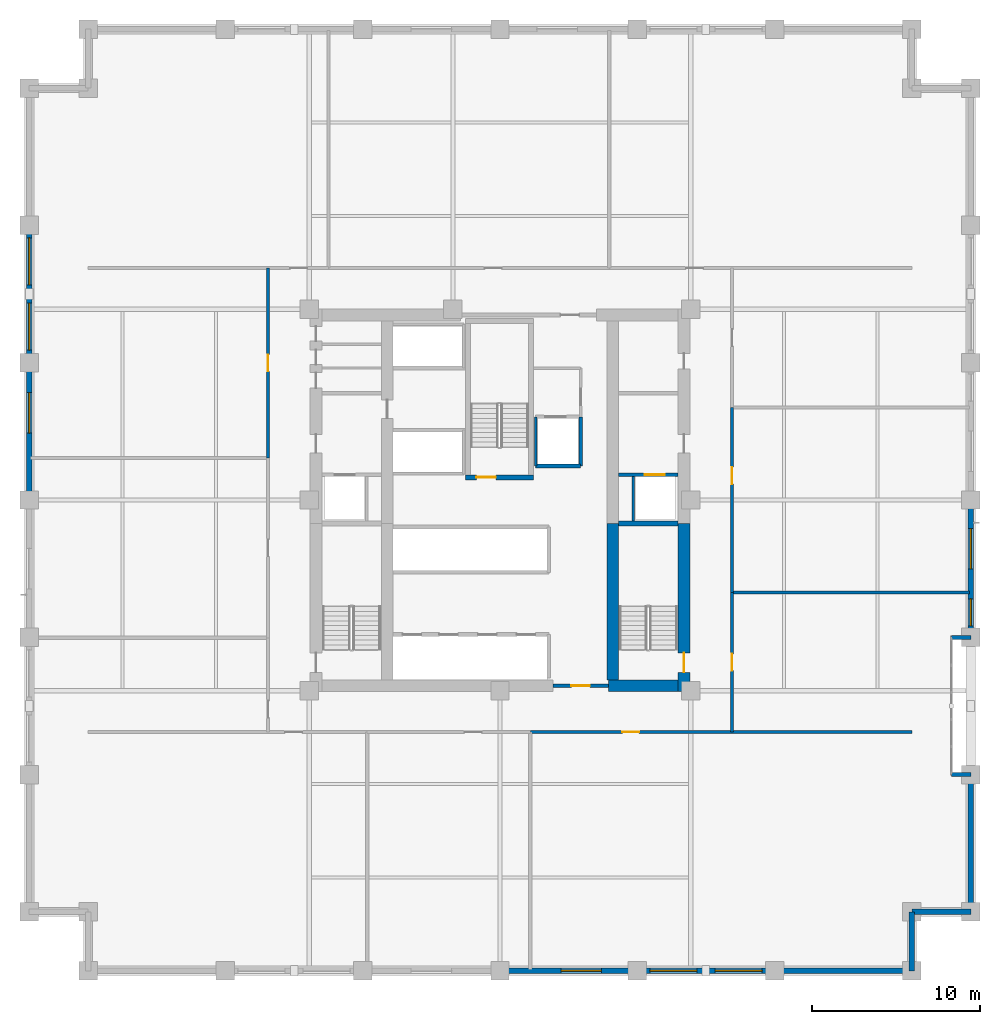
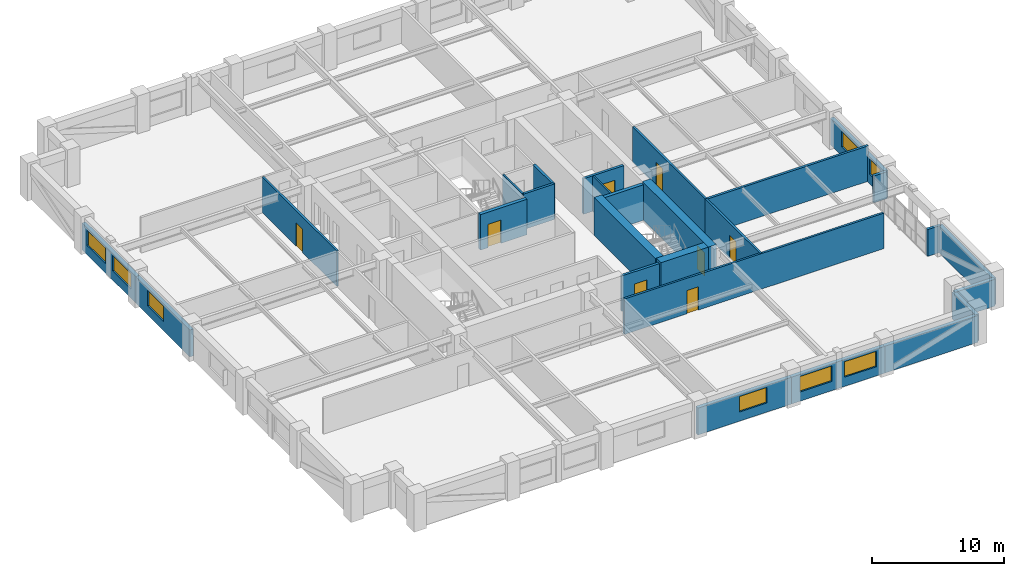
# One storey, part 8 of 13: 27 walls, 8 doors, 8 windows, 16 openings.
"""IFC4 building model written with IfcOpenShell, lengths in metres."""

from ifc_helpers import new_model, si_unit, direction, frame, frame_2d, origin, place, context, subcontext, project, spatial, rectangle, extrude, material, layer, layer_set, type_object, element, fill, save


model = new_model("IFC4")

# Units and contexts
model_context = context("Model", 3, precision=1e-05, world=origin(), true_north=direction((0.0, 1.0)))
body_context = subcontext(model_context, "Body", "Model", "MODEL_VIEW")
ifc_project = project(units=[si_unit("LENGTHUNIT", "METRE"), si_unit("AREAUNIT", "SQUARE_METRE"), si_unit("VOLUMEUNIT", "CUBIC_METRE"), si_unit("PLANEANGLEUNIT", "RADIAN"), si_unit("MASSUNIT", "GRAM", prefix="KILO")], contexts=[model_context])

# Site, building, storey
site_placement = place(None, origin())
site = spatial("IfcSite", under=ifc_project, at=site_placement, CompositionType="ELEMENT")
building_placement = place(site_placement, origin())
building = spatial("IfcBuilding", under=site, at=building_placement, Name="Nhamokura Convention Tower", CompositionType="ELEMENT")
storey_placement = place(building_placement, frame((0.0, 0.0, 92.75)))
storey = spatial("IfcBuildingStorey", under=building, at=storey_placement, Name="L22", CompositionType="ELEMENT", Elevation=92.75)

# Wall, opening, window
ifc_material_1 = material(Name="Bronze-pigmented precast concrete C45/55", Category="concrete")
ifc_layer_1 = layer(ifc_material_1, 0.320068359375)
ifc_layer_set_1 = layer_set([ifc_layer_1], Name="BronzePrecastSpandrel_320")
wall_type_1 = type_object("IfcWallType", Name="BronzePrecastSpandrel_320", PredefinedType="USERDEFINED", material=ifc_layer_set_1)
wall_1_placement = place(storey_placement, frame((40.166748046875, 4.0, 0.0), z_axis=(0.0, 0.0, 1.0), x_axis=(-1.0, 0.0, 0.0)))
wall_1 = element("IfcWall", 1, at=wall_1_placement, inside=storey, type_object=wall_type_1, Name="L22 Masonry-Frame Wall SOUTH 3", ObjectType="SPANDREL_WALL", PredefinedType="USERDEFINED", context=body_context, shape_type="SweptSolid", body=[
    extrude(rectangle(XDim=8.166748046875, YDim=0.320068359375, at=frame_2d((4.08349609375, 0.0))), origin(), (0.0, 0.0, 1.0), 2.47998046875),
])
opening_1_placement = place(wall_1_placement, frame((2.13330078125, 0.0, 0.85009765625)))
opening_1 = element("IfcOpeningElement", 2, at=opening_1_placement, cuts=wall_1, Name="Opening W-03", PredefinedType="OPENING", context=body_context, shape_type="SweptSolid", body=[
    extrude(rectangle(XDim=2.39990234375, YDim=1.429931640625, at=frame_2d((1.199951171875, 0.71484375))), frame((0.0, 0.169921875, 0.0), z_axis=(0.0, -1.0, 0.0), x_axis=(1.0, 0.0, 0.0)), (0.0, 0.0, 1.0), 0.340087890625),
])
ifc_material_2 = material(Name="Solar-control bronze low-E double glass", Category="glass")
window_type_1 = type_object("IfcWindowType", Name="HotelBayWindow_2400", PartitioningType="DOUBLE_PANEL_VERTICAL", PredefinedType="WINDOW", material=ifc_material_2)
window_1_placement = place(opening_1_placement, origin())
window_1 = element("IfcWindow", 3, at=window_1_placement, inside=storey, type_object=window_type_1, Name="L22 Facade Window SOUTH 3-1", OverallHeight=1.429931640625, OverallWidth=2.39990234375, PartitioningType="SINGLE_PANEL", PredefinedType="WINDOW", context=body_context, shape_type="SweptSolid", body=[
    extrude(rectangle(XDim=2.39990234375, YDim=1.429931640625, at=frame_2d((1.199951171875, 0.71484375))), frame((0.0, 0.030029296875, 0.0), z_axis=(0.0, -1.0, 0.0), x_axis=(1.0, 0.0, 0.0)), (0.0, 0.0, 1.0), 0.06005859375),
])
fill(opening_1, window_1)

# Wall, openings, windows
wall_2_placement = place(storey_placement, frame((48.333251953125, 4.0, 0.0), z_axis=(0.0, 0.0, 1.0), x_axis=(-1.0, 0.0, 0.0)))
wall_2 = element("IfcWall", 4, at=wall_2_placement, inside=storey, type_object=wall_type_1, Name="L22 Masonry-Frame Wall SOUTH 4", ObjectType="SPANDREL_WALL", PredefinedType="USERDEFINED", context=body_context, shape_type="SweptSolid", body=[
    extrude(rectangle(XDim=8.16650390625, YDim=0.320068359375, at=frame_2d((4.083251953125, 0.0))), origin(), (0.0, 0.0, 1.0), 2.47998046875),
])
opening_2_placement = place(wall_2_placement, frame((0.74169921875, 0.0, 0.85009765625)))
opening_2 = element("IfcOpeningElement", 5, at=opening_2_placement, cuts=wall_2, Name="Opening W-04", PredefinedType="OPENING", context=body_context, shape_type="SweptSolid", body=[
    extrude(rectangle(XDim=2.800048828125, YDim=1.429931640625, at=frame_2d((1.39990234375, 0.71484375))), frame((0.0, 0.169921875, 0.0), z_axis=(0.0, -1.0, 0.0), x_axis=(1.0, 0.0, 0.0)), (0.0, 0.0, 1.0), 0.340087890625),
])
opening_3_placement = place(wall_2_placement, frame((4.625, 0.0, 0.85009765625)))
opening_3 = element("IfcOpeningElement", 6, at=opening_3_placement, cuts=wall_2, Name="Opening W-04", PredefinedType="OPENING", context=body_context, shape_type="SweptSolid", body=[
    extrude(rectangle(XDim=2.800048828125, YDim=1.429931640625, at=frame_2d((1.39990234375, 0.71484375))), frame((0.0, 0.169921875, 0.0), z_axis=(0.0, -1.0, 0.0), x_axis=(1.0, 0.0, 0.0)), (0.0, 0.0, 1.0), 0.340087890625),
])
ifc_material_3 = material(Name="Solar-control bronze low-E double glass", Category="glass")
window_type_2 = type_object("IfcWindowType", Name="HotelSuiteWindow_2800", PartitioningType="DOUBLE_PANEL_VERTICAL", PredefinedType="WINDOW", material=ifc_material_3)
window_2_placement = place(opening_2_placement, origin())
window_2 = element("IfcWindow", 7, at=window_2_placement, inside=storey, type_object=window_type_2, Name="L22 Facade Window SOUTH 4-1", OverallHeight=1.429931640625, OverallWidth=2.800048828125, PartitioningType="SINGLE_PANEL", PredefinedType="WINDOW", context=body_context, shape_type="SweptSolid", body=[
    extrude(rectangle(XDim=2.800048828125, YDim=1.429931640625, at=frame_2d((1.39990234375, 0.71484375))), frame((0.0, 0.030029296875, 0.0), z_axis=(0.0, -1.0, 0.0), x_axis=(1.0, 0.0, 0.0)), (0.0, 0.0, 1.0), 0.06005859375),
])
fill(opening_2, window_2)
window_3_placement = place(opening_3_placement, origin())
window_3 = element("IfcWindow", 8, at=window_3_placement, inside=storey, type_object=window_type_2, Name="L22 Facade Window SOUTH 4-2", OverallHeight=1.429931640625, OverallWidth=2.800048828125, PartitioningType="SINGLE_PANEL", PredefinedType="WINDOW", context=body_context, shape_type="SweptSolid", body=[
    extrude(rectangle(XDim=2.800048828125, YDim=1.429931640625, at=frame_2d((1.39990234375, 0.71484375))), frame((0.0, 0.030029296875, 0.0), z_axis=(0.0, -1.0, 0.0), x_axis=(1.0, 0.0, 0.0)), (0.0, 0.0, 1.0), 0.06005859375),
])
fill(opening_3, window_3)

# Wall
wall_3_placement = place(storey_placement, frame((56.5, 4.0, 0.0), z_axis=(0.0, 0.0, 1.0), x_axis=(-1.0, 0.0, 0.0)))
element("IfcWall", 9, at=wall_3_placement, inside=storey, type_object=wall_type_1, Name="L22 Braced-Bay Precast Wall SOUTH 5", ObjectType="SPANDREL_WALL", PredefinedType="USERDEFINED", context=body_context, shape_type="SweptSolid", body=[
    extrude(rectangle(XDim=8.166748046875, YDim=0.320068359375, at=frame_2d((4.08349609375, 0.0))), origin(), (0.0, 0.0, 1.0), 2.47998046875),
])

# Wall, opening, window
wall_4_placement = place(storey_placement, frame((4.0, 32.0, 0.0), z_axis=(0.0, 0.0, 1.0), x_axis=(0.0, 1.0, 0.0)))
wall_4 = element("IfcWall", 10, at=wall_4_placement, inside=storey, type_object=wall_type_1, Name="L22 Masonry-Frame Wall WEST 3", ObjectType="SPANDREL_WALL", PredefinedType="USERDEFINED", context=body_context, shape_type="SweptSolid", body=[
    extrude(rectangle(XDim=8.166748046875, YDim=0.320068359375, at=frame_2d((4.08349609375, 0.0))), origin(), (0.0, 0.0, 1.0), 2.47998046875),
])
opening_4_placement = place(wall_4_placement, frame((3.9833984375, 0.0, 0.85009765625)))
opening_4 = element("IfcOpeningElement", 11, at=opening_4_placement, cuts=wall_4, Name="Opening W-03", PredefinedType="OPENING", context=body_context, shape_type="SweptSolid", body=[
    extrude(rectangle(XDim=2.39990234375, YDim=1.429931640625, at=frame_2d((1.199951171875, 0.71484375))), frame((0.0, 0.169921875, 0.0), z_axis=(0.0, -1.0, 0.0), x_axis=(1.0, 0.0, 0.0)), (0.0, 0.0, 1.0), 0.340087890625),
])
window_4_placement = place(opening_4_placement, origin())
window_4 = element("IfcWindow", 12, at=window_4_placement, inside=storey, type_object=window_type_1, Name="L22 Facade Window WEST 3-2", OverallHeight=1.429931640625, OverallWidth=2.39990234375, PartitioningType="SINGLE_PANEL", PredefinedType="WINDOW", context=body_context, shape_type="SweptSolid", body=[
    extrude(rectangle(XDim=2.39990234375, YDim=1.429931640625, at=frame_2d((1.199951171875, 0.71484375))), frame((0.0, 0.030029296875, 0.0), z_axis=(0.0, -1.0, 0.0), x_axis=(1.0, 0.0, 0.0)), (0.0, 0.0, 1.0), 0.06005859375),
])
fill(opening_4, window_4)

# Wall, openings, windows
wall_5_placement = place(storey_placement, frame((4.0, 40.166748046875, 0.0), z_axis=(0.0, 0.0, 1.0), x_axis=(0.0, 1.0, 0.0)))
wall_5 = element("IfcWall", 13, at=wall_5_placement, inside=storey, type_object=wall_type_1, Name="L22 Masonry-Frame Wall WEST 4", ObjectType="SPANDREL_WALL", PredefinedType="USERDEFINED", context=body_context, shape_type="SweptSolid", body=[
    extrude(rectangle(XDim=8.16650390625, YDim=0.320068359375, at=frame_2d((4.083251953125, 0.0))), origin(), (0.0, 0.0, 1.0), 2.47998046875),
])
opening_5_placement = place(wall_5_placement, frame((0.74169921875, 0.0, 0.85009765625)))
opening_5 = element("IfcOpeningElement", 14, at=opening_5_placement, cuts=wall_5, Name="Opening W-04", PredefinedType="OPENING", context=body_context, shape_type="SweptSolid", body=[
    extrude(rectangle(XDim=2.800048828125, YDim=1.429931640625, at=frame_2d((1.39990234375, 0.71484375))), frame((0.0, 0.169921875, 0.0), z_axis=(0.0, -1.0, 0.0), x_axis=(1.0, 0.0, 0.0)), (0.0, 0.0, 1.0), 0.340087890625),
])
opening_6_placement = place(wall_5_placement, frame((4.625, 0.0, 0.85009765625)))
opening_6 = element("IfcOpeningElement", 15, at=opening_6_placement, cuts=wall_5, Name="Opening W-04", PredefinedType="OPENING", context=body_context, shape_type="SweptSolid", body=[
    extrude(rectangle(XDim=2.800048828125, YDim=1.429931640625, at=frame_2d((1.39990234375, 0.71484375))), frame((0.0, 0.169921875, 0.0), z_axis=(0.0, -1.0, 0.0), x_axis=(1.0, 0.0, 0.0)), (0.0, 0.0, 1.0), 0.340087890625),
])
window_5_placement = place(opening_5_placement, origin())
window_5 = element("IfcWindow", 16, at=window_5_placement, inside=storey, type_object=window_type_2, Name="L22 Facade Window WEST 4-1", OverallHeight=1.429931640625, OverallWidth=2.800048828125, PartitioningType="SINGLE_PANEL", PredefinedType="WINDOW", context=body_context, shape_type="SweptSolid", body=[
    extrude(rectangle(XDim=2.800048828125, YDim=1.429931640625, at=frame_2d((1.39990234375, 0.71484375))), frame((0.0, 0.030029296875, 0.0), z_axis=(0.0, -1.0, 0.0), x_axis=(1.0, 0.0, 0.0)), (0.0, 0.0, 1.0), 0.06005859375),
])
fill(opening_5, window_5)
window_6_placement = place(opening_6_placement, origin())
window_6 = element("IfcWindow", 17, at=window_6_placement, inside=storey, type_object=window_type_2, Name="L22 Facade Window WEST 4-2", OverallHeight=1.429931640625, OverallWidth=2.800048828125, PartitioningType="SINGLE_PANEL", PredefinedType="WINDOW", context=body_context, shape_type="SweptSolid", body=[
    extrude(rectangle(XDim=2.800048828125, YDim=1.429931640625, at=frame_2d((1.39990234375, 0.71484375))), frame((0.0, 0.030029296875, 0.0), z_axis=(0.0, -1.0, 0.0), x_axis=(1.0, 0.0, 0.0)), (0.0, 0.0, 1.0), 0.06005859375),
])
fill(opening_6, window_6)

# Walls
for number, where, z_axis, x_axis, name in (
    (18, (60.0, 15.666748046875, 0.0), (0.0, 0.0, 1.0), (-1.0, 0.0, 0.0), "L22 Scale Slot Cheek Wall EASTA"),
    (19, (60.0, 23.833251953125, 0.0), (0.0, 0.0, 1.0), (-1.0, 0.0, 0.0), "L22 Scale Slot Cheek Wall EASTB"),
):
    element("IfcWall", number, at=place(storey_placement, frame(where, z_axis=z_axis, x_axis=x_axis)), inside=storey, type_object=wall_type_1, Name=name, ObjectType="SPANDREL_WALL", PredefinedType="USERDEFINED", context=body_context, shape_type="SweptSolid", body=[
        extrude(rectangle(XDim=1.14990234375, YDim=0.239990234375, at=frame_2d((0.574951171875, 0.0))), origin(), (0.0, 0.0, 1.0), 2.47998046875),
    ])
wall_6_placement = place(storey_placement, frame((60.0, 15.666748046875, 0.0), z_axis=(0.0, 0.0, 1.0), x_axis=(0.0, -1.0, 0.0)))
element("IfcWall", 20, at=wall_6_placement, inside=storey, type_object=wall_type_1, Name="L22 Braced-Bay Precast Wall EAST 0", ObjectType="SPANDREL_WALL", PredefinedType="USERDEFINED", context=body_context, shape_type="SweptSolid", body=[
    extrude(rectangle(XDim=8.166748046875, YDim=0.320068359375, at=frame_2d((4.08349609375, 0.0))), origin(), (0.0, 0.0, 1.0), 2.47998046875),
])

# Wall, openings, windows
wall_7_placement = place(storey_placement, frame((60.0, 32.0, 0.0), z_axis=(0.0, 0.0, 1.0), x_axis=(0.0, -1.0, 0.0)))
wall_7 = element("IfcWall", 21, at=wall_7_placement, inside=storey, type_object=wall_type_1, Name="L22 Masonry-Frame Wall EAST 2", ObjectType="SPANDREL_WALL", PredefinedType="USERDEFINED", context=body_context, shape_type="SweptSolid", body=[
    extrude(rectangle(XDim=8.166748046875, YDim=0.320068359375, at=frame_2d((4.08349609375, 0.0))), origin(), (0.0, 0.0, 1.0), 2.47998046875),
])
opening_7_placement = place(wall_7_placement, frame((1.699951171875, 0.0, 0.85009765625)))
opening_7 = element("IfcOpeningElement", 22, at=opening_7_placement, cuts=wall_7, Name="Opening W-03", PredefinedType="OPENING", context=body_context, shape_type="SweptSolid", body=[
    extrude(rectangle(XDim=2.39990234375, YDim=1.429931640625, at=frame_2d((1.199951171875, 0.71484375))), frame((0.0, 0.169921875, 0.0), z_axis=(0.0, -1.0, 0.0), x_axis=(1.0, 0.0, 0.0)), (0.0, 0.0, 1.0), 0.340087890625),
])
opening_8_placement = place(wall_7_placement, frame((5.88330078125, 0.0, 0.85009765625)))
opening_8 = element("IfcOpeningElement", 23, at=opening_8_placement, cuts=wall_7, Name="Opening W-11", PredefinedType="OPENING", context=body_context, shape_type="SweptSolid", body=[
    extrude(rectangle(XDim=1.60009765625, YDim=1.429931640625, at=frame_2d((0.800048828125, 0.71484375))), frame((0.0, 0.169921875, 0.0), z_axis=(0.0, -1.0, 0.0), x_axis=(1.0, 0.0, 0.0)), (0.0, 0.0, 1.0), 0.340087890625),
])
window_7_placement = place(opening_7_placement, origin())
window_7 = element("IfcWindow", 24, at=window_7_placement, inside=storey, type_object=window_type_1, Name="L22 Facade Window EAST 2-1", OverallHeight=1.429931640625, OverallWidth=2.39990234375, PartitioningType="SINGLE_PANEL", PredefinedType="WINDOW", context=body_context, shape_type="SweptSolid", body=[
    extrude(rectangle(XDim=2.39990234375, YDim=1.429931640625, at=frame_2d((1.199951171875, 0.71484375))), frame((0.0, 0.030029296875, 0.0), z_axis=(0.0, -1.0, 0.0), x_axis=(1.0, 0.0, 0.0)), (0.0, 0.0, 1.0), 0.06005859375),
])
fill(opening_7, window_7)
ifc_material_4 = material(Name="Solar-control bronze low-E double glass", Category="glass")
window_type_3 = type_object("IfcWindowType", Name="NotchCornerWindow_1600", PartitioningType="SINGLE_PANEL", PredefinedType="WINDOW", material=ifc_material_4)
window_8_placement = place(opening_8_placement, origin())
window_8 = element("IfcWindow", 25, at=window_8_placement, inside=storey, type_object=window_type_3, Name="L22 Facade Window EAST 2-2", OverallHeight=1.429931640625, OverallWidth=1.60009765625, PartitioningType="SINGLE_PANEL", PredefinedType="WINDOW", context=body_context, shape_type="SweptSolid", body=[
    extrude(rectangle(XDim=1.60009765625, YDim=1.429931640625, at=frame_2d((0.800048828125, 0.71484375))), frame((0.0, 0.030029296875, 0.0), z_axis=(0.0, -1.0, 0.0), x_axis=(1.0, 0.0, 0.0)), (0.0, 0.0, 1.0), 0.06005859375),
])
fill(opening_8, window_8)

# Walls
for number, where, z_axis, x_axis, name in (
    (26, (56.5, 7.5, 0.0), (0.0, 0.0, 1.0), (0.0, -1.0, 0.0), "L22 Notched Corner Wall SE1"),
    (27, (60.0, 7.5, 0.0), (0.0, 0.0, 1.0), (-1.0, 0.0, 0.0), "L22 Notched Corner Wall SE2"),
):
    element("IfcWall", number, at=place(storey_placement, frame(where, z_axis=z_axis, x_axis=x_axis)), inside=storey, type_object=wall_type_1, Name=name, ObjectType="SPANDREL_WALL", PredefinedType="USERDEFINED", context=body_context, shape_type="SweptSolid", body=[
        extrude(rectangle(XDim=3.5, YDim=0.320068359375, at=frame_2d((1.75, 0.0))), origin(), (0.0, 0.0, 1.0), 2.47998046875),
    ])

# Wall, opening, door
ifc_material_5 = material(Name="Concrete C70/85", Category="concrete")
ifc_layer_2 = layer(ifc_material_5, 0.699951171875)
ifc_layer_set_2 = layer_set([ifc_layer_2], Name="CoreShearWall_700")
wall_type_2 = type_object("IfcWallType", Name="CoreShearWall_700", PredefinedType="SHEAR", material=ifc_layer_set_2)
wall_8_placement = place(storey_placement, frame((42.93994140625, 20.60009765625, 0.0), z_axis=(0.0, 0.0, 1.0), x_axis=(0.0, 1.0, 0.0)))
wall_8 = element("IfcWall", 28, at=wall_8_placement, inside=storey, type_object=wall_type_2, Name="L22 Core Shear Wall CW-ES", PredefinedType="SHEAR", context=body_context, shape_type="SweptSolid", body=[
    extrude(rectangle(XDim=10.0, YDim=0.699951171875, at=frame_2d((5.0, 0.0))), origin(), (0.0, 0.0, 1.0), 3.5),
])
opening_9_placement = place(wall_8_placement, frame((1.14990234375, 0.0, 0.0)))
opening_9 = element("IfcOpeningElement", 29, at=opening_9_placement, cuts=wall_8, Name="Opening D-04", PredefinedType="OPENING", context=body_context, shape_type="SweptSolid", body=[
    extrude(rectangle(XDim=1.14990234375, YDim=2.14990234375, at=frame_2d((0.574951171875, 1.074951171875))), frame((0.0, 0.35986328125, 0.0), z_axis=(0.0, -1.0, 0.0), x_axis=(1.0, 0.0, 0.0)), (0.0, 0.0, 1.0), 0.719970703125),
])
ifc_material_6 = material(Name="Fire-rated steel door", Category="steel")
door_type_1 = type_object("IfcDoorType", Name="StairSmokeDoor_1150", OperationType="NOTDEFINED", PredefinedType="DOOR", material=ifc_material_6)
door_1_placement = place(opening_9_placement, origin())
door_1 = element("IfcDoor", 30, at=door_1_placement, inside=storey, type_object=door_type_1, Name="L22 Core Door INT-L22-D-ST02", OperationType="SINGLE_SWING_RIGHT", OverallHeight=2.14990234375, OverallWidth=1.14990234375, PredefinedType="DOOR", context=body_context, shape_type="SweptSolid", body=[
    extrude(rectangle(XDim=1.14990234375, YDim=2.14990234375, at=frame_2d((0.574951171875, 1.074951171875))), frame((0.0, 0.02490234375, 0.0), z_axis=(0.0, -1.0, 0.0), x_axis=(1.0, 0.0, 0.0)), (0.0, 0.0, 1.0), 0.050048828125),
])
fill(opening_9, door_1)

# Walls
wall_9_placement = place(storey_placement, frame((38.449951171875, 20.949951171875, 0.0), z_axis=(0.0, 0.0, 1.0), x_axis=(1.0, 0.0, 0.0)))
element("IfcWall", 31, at=wall_9_placement, inside=storey, type_object=wall_type_2, Name="L22 Core Shear Wall CW-S2", PredefinedType="SHEAR", context=body_context, shape_type="SweptSolid", body=[
    extrude(rectangle(XDim=4.14013671875, YDim=0.699951171875, at=frame_2d((2.070068359375, 0.0))), origin(), (0.0, 0.0, 1.0), 3.5),
])
wall_10_placement = place(storey_placement, frame((38.7099609375, 21.300048828125, 0.0), z_axis=(0.0, 0.0, 1.0), x_axis=(0.0, 1.0, 0.0)))
element("IfcWall", 32, at=wall_10_placement, inside=storey, type_object=wall_type_2, Name="L22 Core Shear Wall CW-IES", PredefinedType="SHEAR", context=body_context, shape_type="SweptSolid", body=[
    extrude(rectangle(XDim=9.300048828125, YDim=0.699951171875, at=frame_2d((4.64990234375, 0.0))), origin(), (0.0, 0.0, 1.0), 3.5),
])

# Wall, opening, door
ifc_material_7 = material(Name="Fire-rated gypsum and masonry partition", Category="masonry")
ifc_layer_3 = layer(ifc_material_7, 0.179931640625)
ifc_layer_set_3 = layer_set([ifc_layer_3], Name="CorridorRatedWall_180")
wall_type_3 = type_object("IfcWallType", Name="CorridorRatedWall_180", PredefinedType="STANDARD", material=ifc_layer_set_3)
wall_11_placement = place(storey_placement, frame((33.800048828125, 18.199951171875, 0.0), z_axis=(0.0, 0.0, 1.0), x_axis=(1.0, 0.0, 0.0)))
wall_11 = element("IfcWall", 33, at=wall_11_placement, inside=storey, type_object=wall_type_3, Name="L22 Wall INT-L22-CW-S02", PredefinedType="STANDARD", context=body_context, shape_type="SweptSolid", body=[
    extrude(rectangle(XDim=22.699951171875, YDim=0.179931640625, at=frame_2d((11.35009765625, 0.0))), origin(), (0.0, 0.0, 1.0), 3.280029296875),
])
opening_10_placement = place(wall_11_placement, frame((5.47509765625, 0.0, 0.0)))
opening_10 = element("IfcOpeningElement", 34, at=opening_10_placement, cuts=wall_11, Name="Opening D-07", PredefinedType="OPENING", context=body_context, shape_type="SweptSolid", body=[
    extrude(rectangle(XDim=1.0, YDim=2.14990234375, at=frame_2d((0.5, 1.074951171875))), frame((0.0, 0.099853515625, 0.0), z_axis=(0.0, -1.0, 0.0), x_axis=(1.0, 0.0, 0.0)), (0.0, 0.0, 1.0), 0.199951171875),
])
ifc_material_8 = material(Name="Solid oak hardwood", Category="wood")
door_type_2 = type_object("IfcDoorType", Name="HotelSuiteEntryDoor_1000", OperationType="NOTDEFINED", PredefinedType="DOOR", material=ifc_material_8)
door_2_placement = place(opening_10_placement, origin())
door_2 = element("IfcDoor", 35, at=door_2_placement, inside=storey, type_object=door_type_2, Name="L22 Conference Salon S03 Door", OperationType="SINGLE_SWING_LEFT", OverallHeight=2.14990234375, OverallWidth=1.0, PredefinedType="DOOR", context=body_context, shape_type="SweptSolid", body=[
    extrude(rectangle(XDim=1.0, YDim=2.14990234375, at=frame_2d((0.5, 1.074951171875))), frame((0.0, 0.02490234375, 0.0), z_axis=(0.0, -1.0, 0.0), x_axis=(1.0, 0.0, 0.0)), (0.0, 0.0, 1.0), 0.050048828125),
])
fill(opening_10, door_2)

wall_12_placement = place(storey_placement, frame((18.199951171875, 34.5, 0.0), z_axis=(0.0, 0.0, 1.0), x_axis=(0.0, 1.0, 0.0)))
wall_12 = element("IfcWall", 36, at=wall_12_placement, inside=storey, type_object=wall_type_3, Name="L22 Wall INT-L22-CW-W02", PredefinedType="STANDARD", context=body_context, shape_type="SweptSolid", body=[
    extrude(rectangle(XDim=11.300048828125, YDim=0.179931640625, at=frame_2d((5.64990234375, 0.0))), origin(), (0.0, 0.0, 1.0), 3.280029296875),
])
opening_11_placement = place(wall_12_placement, frame((5.14990234375, 0.0, 0.0)))
opening_11 = element("IfcOpeningElement", 37, at=opening_11_placement, cuts=wall_12, Name="Opening D-07", PredefinedType="OPENING", context=body_context, shape_type="SweptSolid", body=[
    extrude(rectangle(XDim=1.0, YDim=2.14990234375, at=frame_2d((0.5, 1.074951171875))), frame((0.0, 0.099853515625, 0.0), z_axis=(0.0, -1.0, 0.0), x_axis=(1.0, 0.0, 0.0)), (0.0, 0.0, 1.0), 0.199951171875),
])
door_3_placement = place(opening_11_placement, origin())
door_3 = element("IfcDoor", 38, at=door_3_placement, inside=storey, type_object=door_type_2, Name="L22 Meeting Room W03 Door", OperationType="SINGLE_SWING_LEFT", OverallHeight=2.14990234375, OverallWidth=1.0, PredefinedType="DOOR", context=body_context, shape_type="SweptSolid", body=[
    extrude(rectangle(XDim=1.0, YDim=2.14990234375, at=frame_2d((0.5, 1.074951171875))), frame((0.0, 0.02490234375, 0.0), z_axis=(0.0, -1.0, 0.0), x_axis=(1.0, 0.0, 0.0)), (0.0, 0.0, 1.0), 0.050048828125),
])
fill(opening_11, door_3)

wall_13_placement = place(storey_placement, frame((45.800048828125, 18.199951171875, 0.0), z_axis=(0.0, 0.0, 1.0), x_axis=(0.0, 1.0, 0.0)))
wall_13 = element("IfcWall", 39, at=wall_13_placement, inside=storey, type_object=wall_type_3, Name="L22 Wall INT-L22-CW-E00", PredefinedType="STANDARD", context=body_context, shape_type="SweptSolid", body=[
    extrude(rectangle(XDim=8.300048828125, YDim=0.179931640625, at=frame_2d((4.14990234375, 0.0))), origin(), (0.0, 0.0, 1.0), 3.280029296875),
])
opening_12_placement = place(wall_13_placement, frame((3.64990234375, 0.0, 0.0)))
opening_12 = element("IfcOpeningElement", 40, at=opening_12_placement, cuts=wall_13, Name="Opening D-07", PredefinedType="OPENING", context=body_context, shape_type="SweptSolid", body=[
    extrude(rectangle(XDim=1.0, YDim=2.14990234375, at=frame_2d((0.5, 1.074951171875))), frame((0.0, 0.099853515625, 0.0), z_axis=(0.0, -1.0, 0.0), x_axis=(1.0, 0.0, 0.0)), (0.0, 0.0, 1.0), 0.199951171875),
])
door_4_placement = place(opening_12_placement, origin())
door_4 = element("IfcDoor", 41, at=door_4_placement, inside=storey, type_object=door_type_2, Name="L22 Pantry E01 Door", OperationType="SINGLE_SWING_LEFT", OverallHeight=2.14990234375, OverallWidth=1.0, PredefinedType="DOOR", context=body_context, shape_type="SweptSolid", body=[
    extrude(rectangle(XDim=1.0, YDim=2.14990234375, at=frame_2d((0.5, 1.074951171875))), frame((0.0, 0.02490234375, 0.0), z_axis=(0.0, -1.0, 0.0), x_axis=(1.0, 0.0, 0.0)), (0.0, 0.0, 1.0), 0.050048828125),
])
fill(opening_12, door_4)

wall_14_placement = place(storey_placement, frame((45.800048828125, 26.5, 0.0), z_axis=(0.0, 0.0, 1.0), x_axis=(0.0, 1.0, 0.0)))
wall_14 = element("IfcWall", 42, at=wall_14_placement, inside=storey, type_object=wall_type_3, Name="L22 Wall INT-L22-CW-E01", PredefinedType="STANDARD", context=body_context, shape_type="SweptSolid", body=[
    extrude(rectangle(XDim=11.0, YDim=0.179931640625, at=frame_2d((5.5, 0.0))), origin(), (0.0, 0.0, 1.0), 3.280029296875),
])
opening_13_placement = place(wall_14_placement, frame((6.449951171875, 0.0, 0.0)))
opening_13 = element("IfcOpeningElement", 43, at=opening_13_placement, cuts=wall_14, Name="Opening D-07", PredefinedType="OPENING", context=body_context, shape_type="SweptSolid", body=[
    extrude(rectangle(XDim=1.0, YDim=2.14990234375, at=frame_2d((0.5, 1.074951171875))), frame((0.0, 0.099853515625, 0.0), z_axis=(0.0, -1.0, 0.0), x_axis=(1.0, 0.0, 0.0)), (0.0, 0.0, 1.0), 0.199951171875),
])
door_5_placement = place(opening_13_placement, origin())
door_5 = element("IfcDoor", 44, at=door_5_placement, inside=storey, type_object=door_type_2, Name="L22 Housekeeping Store E02 Door", OperationType="SINGLE_SWING_RIGHT", OverallHeight=2.14990234375, OverallWidth=1.0, PredefinedType="DOOR", context=body_context, shape_type="SweptSolid", body=[
    extrude(rectangle(XDim=1.0, YDim=2.14990234375, at=frame_2d((0.5, 1.074951171875))), frame((0.0, 0.02490234375, 0.0), z_axis=(0.0, -1.0, 0.0), x_axis=(1.0, 0.0, 0.0)), (0.0, 0.0, 1.0), 0.050048828125),
])
fill(opening_13, door_5)

ifc_material_9 = material(Name="Autoclaved concrete blockwork", Category="masonry")
ifc_layer_4 = layer(ifc_material_9, 0.219970703125)
ifc_layer_set_4 = layer_set([ifc_layer_4], Name="FireLobbyWall_220")
wall_type_4 = type_object("IfcWallType", Name="FireLobbyWall_220", PredefinedType="STANDARD", material=ifc_layer_set_4)
wall_15_placement = place(storey_placement, frame((39.06005859375, 33.5, 0.0), z_axis=(0.0, 0.0, 1.0), x_axis=(1.0, 0.0, 0.0)))
wall_15 = element("IfcWall", 45, at=wall_15_placement, inside=storey, type_object=wall_type_4, Name="L22 Wall INT-L22-FFE-S", PredefinedType="STANDARD", context=body_context, shape_type="SweptSolid", body=[
    extrude(rectangle(XDim=3.530029296875, YDim=0.219970703125, at=frame_2d((1.76513671875, 0.0))), origin(), (0.0, 0.0, 1.0), 3.280029296875),
])
opening_14_placement = place(wall_15_placement, frame((1.550048828125, 0.0, 0.0)))
opening_14 = element("IfcOpeningElement", 46, at=opening_14_placement, cuts=wall_15, Name="Opening LD-02", PredefinedType="OPENING", context=body_context, shape_type="SweptSolid", body=[
    extrude(rectangle(XDim=1.199951171875, YDim=2.199951171875, at=frame_2d((0.60009765625, 1.10009765625))), frame((0.0, 0.119873046875, 0.0), z_axis=(0.0, -1.0, 0.0), x_axis=(1.0, 0.0, 0.0)), (0.0, 0.0, 1.0), 0.239990234375),
])
ifc_material_10 = material(Name="Anodised bronze stainless steel", Category="steel")
door_type_3 = type_object("IfcDoorType", Name="LiftLandingDoor_FireService", OperationType="DOUBLE_DOOR_SLIDING", PredefinedType="DOOR", material=ifc_material_10)
door_6_placement = place(opening_14_placement, origin())
door_6 = element("IfcDoor", 47, at=door_6_placement, inside=storey, type_object=door_type_3, Name="L22 Firefighting Lift LF-02 Door", OperationType="DOUBLE_DOOR_SLIDING", OverallHeight=2.199951171875, OverallWidth=1.199951171875, PredefinedType="DOOR", context=body_context, shape_type="SweptSolid", body=[
    extrude(rectangle(XDim=1.199951171875, YDim=2.199951171875, at=frame_2d((0.60009765625, 1.10009765625))), frame((0.0, 0.02490234375, 0.0), z_axis=(0.0, -1.0, 0.0), x_axis=(1.0, 0.0, 0.0)), (0.0, 0.0, 1.0), 0.050048828125),
])
fill(opening_14, door_6)

wall_16_placement = place(storey_placement, frame((35.14990234375, 20.949951171875, 0.0), z_axis=(0.0, 0.0, 1.0), x_axis=(1.0, 0.0, 0.0)))
wall_16 = element("IfcWall", 48, at=wall_16_placement, inside=storey, type_object=wall_type_4, Name="L22 Wall INT-L22-SPORT-S", PredefinedType="STANDARD", context=body_context, shape_type="SweptSolid", body=[
    extrude(rectangle(XDim=3.300048828125, YDim=0.219970703125, at=frame_2d((1.64990234375, 0.0))), origin(), (0.0, 0.0, 1.0), 3.280029296875),
])
opening_15_placement = place(wall_16_placement, frame((1.10009765625, 0.0, 0.0)))
opening_15 = element("IfcOpeningElement", 49, at=opening_15_placement, cuts=wall_16, Name="Opening D-05", PredefinedType="OPENING", context=body_context, shape_type="SweptSolid", body=[
    extrude(rectangle(XDim=1.10009765625, YDim=2.14990234375, at=frame_2d((0.550048828125, 1.074951171875))), frame((0.0, 0.119873046875, 0.0), z_axis=(0.0, -1.0, 0.0), x_axis=(1.0, 0.0, 0.0)), (0.0, 0.0, 1.0), 0.239990234375),
])
ifc_material_11 = material(Name="Fire-rated steel door", Category="steel")
door_type_4 = type_object("IfcDoorType", Name="FireLobbyDoor_1100", OperationType="NOTDEFINED", PredefinedType="DOOR", material=ifc_material_11)
door_7_placement = place(opening_15_placement, origin())
door_7 = element("IfcDoor", 50, at=door_7_placement, inside=storey, type_object=door_type_4, Name="L22 South Core Lobby Portal Door", OperationType="SINGLE_SWING_LEFT", OverallHeight=2.14990234375, OverallWidth=1.10009765625, PredefinedType="DOOR", context=body_context, shape_type="SweptSolid", body=[
    extrude(rectangle(XDim=1.10009765625, YDim=2.14990234375, at=frame_2d((0.550048828125, 1.074951171875))), frame((0.0, 0.02490234375, 0.0), z_axis=(0.0, -1.0, 0.0), x_axis=(1.0, 0.0, 0.0)), (0.0, 0.0, 1.0), 0.050048828125),
])
fill(opening_15, door_7)

# Walls
wall_17_placement = place(storey_placement, frame((36.800048828125, 34.02001953125, 0.0), z_axis=(0.0, 0.0, 1.0), x_axis=(0.0, 1.0, 0.0)))
element("IfcWall", 51, at=wall_17_placement, inside=storey, type_object=wall_type_4, Name="L22 Wall INT-L22-LSE", PredefinedType="STANDARD", context=body_context, shape_type="SweptSolid", body=[
    extrude(rectangle(XDim=2.929931640625, YDim=0.219970703125, at=frame_2d((1.46484375, 0.0))), origin(), (0.0, 0.0, 1.0), 3.280029296875),
])
wall_18_placement = place(storey_placement, frame((34.1201171875, 34.02001953125, 0.0), z_axis=(0.0, 0.0, 1.0), x_axis=(1.0, 0.0, 0.0)))
element("IfcWall", 52, at=wall_18_placement, inside=storey, type_object=wall_type_4, Name="L22 Wall INT-L22-LSS", PredefinedType="STANDARD", context=body_context, shape_type="SweptSolid", body=[
    extrude(rectangle(XDim=2.679931640625, YDim=0.219970703125, at=frame_2d((1.33984375, 0.0))), origin(), (0.0, 0.0, 1.0), 3.280029296875),
])
ifc_material_12 = material(Name="Acoustic twin-stud gypsum partition", Category="masonry")
ifc_layer_5 = layer(ifc_material_12, 0.199951171875)
ifc_layer_set_5 = layer_set([ifc_layer_5], Name="HotelDemisingWall_200")
wall_type_5 = type_object("IfcWallType", Name="HotelDemisingWall_200", PredefinedType="STANDARD", material=ifc_layer_set_5)
wall_19_placement = place(storey_placement, frame((45.800048828125, 26.5, 0.0), z_axis=(0.0, 0.0, 1.0), x_axis=(1.0, 0.0, 0.0)))
element("IfcWall", 53, at=wall_19_placement, inside=storey, type_object=wall_type_5, Name="L22 Wall INT-L22-RW-E01", PredefinedType="STANDARD", context=body_context, shape_type="SweptSolid", body=[
    extrude(rectangle(XDim=14.139892578125, YDim=0.199951171875, at=frame_2d((7.06982421875, 0.0))), origin(), (0.0, 0.0, 1.0), 3.280029296875),
])
ifc_material_13 = material(Name="Acoustic gypsum stud partition", Category="masonry")
ifc_layer_6 = layer(ifc_material_13, 0.14990234375)
ifc_layer_set_6 = layer_set([ifc_layer_6], Name="InteriorPartition_150")
wall_type_6 = type_object("IfcWallType", Name="InteriorPartition_150", PredefinedType="STANDARD", material=ifc_layer_set_6)
wall_20_placement = place(storey_placement, frame((39.919921875, 30.75, 0.0), z_axis=(0.0, 0.0, 1.0), x_axis=(0.0, 1.0, 0.0)))
element("IfcWall", 54, at=wall_20_placement, inside=storey, type_object=wall_type_6, Name="L22 Wall INT-L22-FF2-W", PredefinedType="STANDARD", context=body_context, shape_type="SweptSolid", body=[
    extrude(rectangle(XDim=2.64990234375, YDim=0.14990234375, at=frame_2d((1.324951171875, 0.0))), origin(), (0.0, 0.0, 1.0), 3.280029296875),
])
wall_21_placement = place(storey_placement, frame((34.1201171875, 34.02001953125, 0.0), z_axis=(0.0, 0.0, 1.0), x_axis=(0.0, 1.0, 0.0)))
element("IfcWall", 55, at=wall_21_placement, inside=storey, type_object=wall_type_6, Name="L22 Wall INT-L22-LSW", PredefinedType="STANDARD", context=body_context, shape_type="SweptSolid", body=[
    extrude(rectangle(XDim=2.929931640625, YDim=0.14990234375, at=frame_2d((1.46484375, 0.0))), origin(), (0.0, 0.0, 1.0), 3.280029296875),
])
ifc_material_14 = material(Name="Concrete C50/60", Category="concrete")
ifc_layer_7 = layer(ifc_material_14, 0.300048828125)
ifc_layer_set_7 = layer_set([ifc_layer_7], Name="ShaftEnclosureWall_300")
wall_type_7 = type_object("IfcWallType", Name="ShaftEnclosureWall_300", PredefinedType="SHEAR", material=ifc_layer_set_7)
wall_22_placement = place(storey_placement, frame((39.06005859375, 30.60009765625, 0.0), z_axis=(0.0, 0.0, 1.0), x_axis=(1.0, 0.0, 0.0)))
element("IfcWall", 56, at=wall_22_placement, inside=storey, type_object=wall_type_7, Name="L22 Wall INT-L22-ST02-N", PredefinedType="SHEAR", context=body_context, shape_type="SweptSolid", body=[
    extrude(rectangle(XDim=3.530029296875, YDim=0.300048828125, at=frame_2d((1.76513671875, 0.0))), origin(), (0.0, 0.0, 1.0), 3.280029296875),
])

# Wall, opening, door
wall_23_placement = place(storey_placement, frame((29.949951171875, 33.35009765625, 0.0), z_axis=(0.0, 0.0, 1.0), x_axis=(1.0, 0.0, 0.0)))
wall_23 = element("IfcWall", 57, at=wall_23_placement, inside=storey, type_object=wall_type_7, Name="L22 Wall INT-L22-ST03S", PredefinedType="SHEAR", context=body_context, shape_type="SweptSolid", body=[
    extrude(rectangle(XDim=4.050048828125, YDim=0.300048828125, at=frame_2d((2.02490234375, 0.0))), origin(), (0.0, 0.0, 1.0), 3.280029296875),
])
opening_16_placement = place(wall_23_placement, frame((0.64990234375, 0.0, 0.0)))
opening_16 = element("IfcOpeningElement", 58, at=opening_16_placement, cuts=wall_23, Name="Opening D-04", PredefinedType="OPENING", context=body_context, shape_type="SweptSolid", body=[
    extrude(rectangle(XDim=1.14990234375, YDim=2.14990234375, at=frame_2d((0.574951171875, 1.074951171875))), frame((0.0, 0.159912109375, 0.0), z_axis=(0.0, -1.0, 0.0), x_axis=(1.0, 0.0, 0.0)), (0.0, 0.0, 1.0), 0.320068359375),
])
door_8_placement = place(opening_16_placement, origin())
door_8 = element("IfcDoor", 59, at=door_8_placement, inside=storey, type_object=door_type_1, Name="L22 Stair ST-03 Smoke Door", OperationType="SINGLE_SWING_LEFT", OverallHeight=2.14990234375, OverallWidth=1.14990234375, PredefinedType="DOOR", context=body_context, shape_type="SweptSolid", body=[
    extrude(rectangle(XDim=1.14990234375, YDim=2.14990234375, at=frame_2d((0.574951171875, 1.074951171875))), frame((0.0, 0.02490234375, 0.0), z_axis=(0.0, -1.0, 0.0), x_axis=(1.0, 0.0, 0.0)), (0.0, 0.0, 1.0), 0.050048828125),
])
fill(opening_16, door_8)

save(model, "model.ifc")
